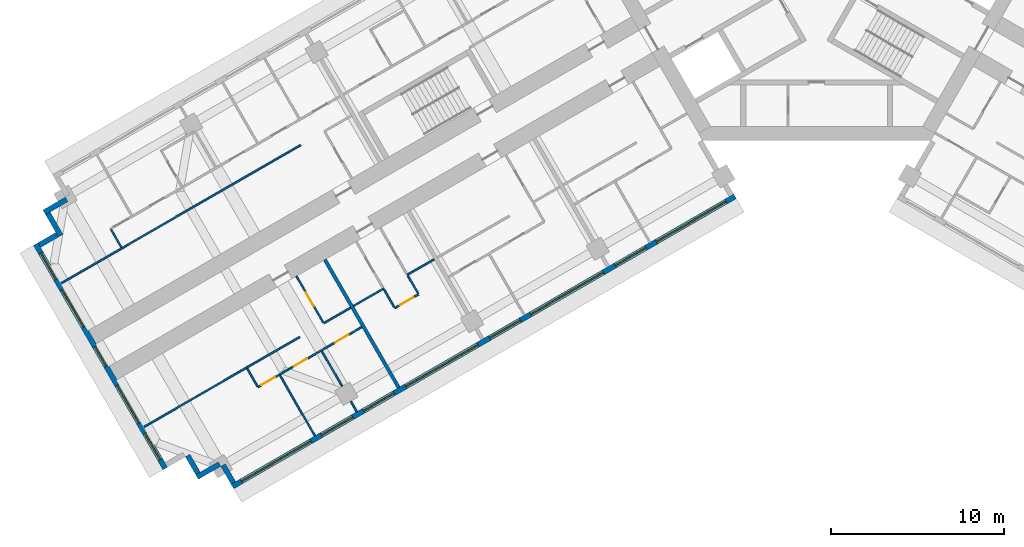
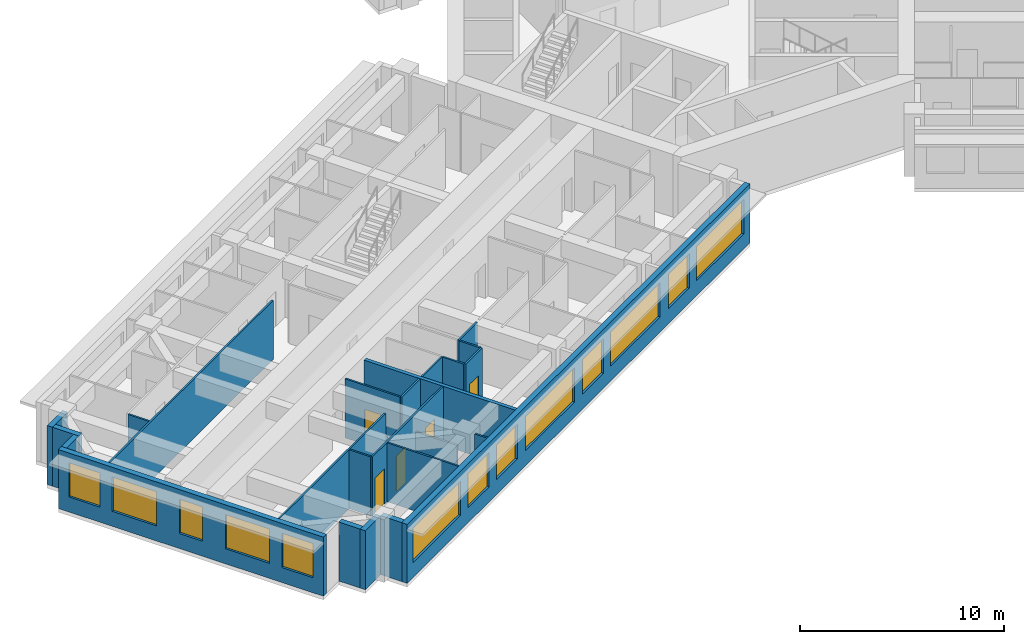
# One storey, part 3 of 14: 24 walls, 13 windows, 5 doors, 18 openings.
"""IFC4 building model written with IfcOpenShell, lengths in metres."""

from ifc_helpers import new_model, si_unit, direction, frame, frame_2d, origin, place, context, subcontext, project, spatial, rectangle, extrude, material, layer, layer_set, type_object, element, fill, save


model = new_model("IFC4")

# Units and contexts
model_context = context("Model", 3, precision=1e-05, world=origin(), true_north=direction((0.0, 1.0)))
body_context = subcontext(model_context, "Body", "Model", "MODEL_VIEW")
ifc_project = project(units=[si_unit("LENGTHUNIT", "METRE"), si_unit("AREAUNIT", "SQUARE_METRE"), si_unit("VOLUMEUNIT", "CUBIC_METRE"), si_unit("PLANEANGLEUNIT", "RADIAN"), si_unit("MASSUNIT", "GRAM", prefix="KILO")], contexts=[model_context])

# Site, building, storey
site_placement = place(None, origin())
site = spatial("IfcSite", under=ifc_project, at=site_placement, CompositionType="ELEMENT")
building_placement = place(site_placement, origin())
building = spatial("IfcBuilding", under=site, at=building_placement, Name="Impinga Residences", CompositionType="ELEMENT")
storey_placement = place(building_placement, frame((0.0, 0.0, 128.5)))
storey = spatial("IfcBuildingStorey", under=building, at=storey_placement, Name="L31", CompositionType="ELEMENT", Elevation=128.5)

# Walls
ifc_material_1 = material(Name="Terracotta rainscreen on blockwork", Category="masonry")
ifc_layer_1 = layer(ifc_material_1, 0.300048828125)
ifc_layer_set_1 = layer_set([ifc_layer_1], Name="EW1 external wall, terracotta rainscreen on blockwork 300")
wall_type_1 = type_object("IfcWallType", Name="EW1 external wall, terracotta rainscreen on blockwork 300", PredefinedType="SOLIDWALL", material=ifc_layer_set_1)
wall_1_placement = place(storey_placement, frame((-33.7685546875, -31.274169921875, 0.0), z_axis=(0.0, 0.0, 1.0), x_axis=(-0.499940577336, 0.866059708757, 0.0)))
element("IfcWall", 1, at=wall_1_placement, inside=storey, type_object=wall_type_1, Name="External wall EW1 L31", PredefinedType="SOLIDWALL", context=body_context, shape_type="SweptSolid", body=[
    extrude(rectangle(XDim=1.195068359375, YDim=0.300048828125, at=frame_2d((0.59765625, 0.0))), origin(), (0.0, 0.0, 1.0), 3.530029296875),
])
wall_2_placement = place(storey_placement, frame((-34.573486328125, -30.18017578125, 0.0), z_axis=(0.0, 0.0, 1.0), x_axis=(-0.866031096941, -0.499990139034, 0.0)))
element("IfcWall", 2, at=wall_2_placement, inside=storey, type_object=wall_type_1, Name="External wall EW1 L31", PredefinedType="SOLIDWALL", context=body_context, shape_type="SweptSolid", body=[
    extrude(rectangle(XDim=1.5, YDim=0.300048828125, at=frame_2d((0.75, 0.0))), origin(), (0.0, 0.0, 1.0), 3.530029296875),
])
wall_3_placement = place(storey_placement, frame((-35.817626953125, -30.72509765625, 0.0), z_axis=(0.0, 0.0, 1.0), x_axis=(-0.499969057507, 0.866043267704, 0.0)))
element("IfcWall", 3, at=wall_3_placement, inside=storey, type_object=wall_type_1, Name="External wall EW1 L31", PredefinedType="SOLIDWALL", context=body_context, shape_type="SweptSolid", body=[
    extrude(rectangle(XDim=1.19970703125, YDim=0.300048828125, at=frame_2d((0.599853515625, 0.0))), origin(), (0.0, 0.0, 1.0), 3.530029296875),
])

# Wall, openings, windows
wall_4_placement = place(storey_placement, frame((-37.716552734375, -30.43603515625, 0.0), z_axis=(0.0, 0.0, 1.0), x_axis=(-0.499997186618, 0.866027028085, 0.0)))
wall_4 = element("IfcWall", 4, at=wall_4_placement, inside=storey, type_object=wall_type_1, Name="External wall EW1 L31", PredefinedType="SOLIDWALL", context=body_context, shape_type="SweptSolid", body=[
    extrude(rectangle(XDim=15.0, YDim=0.300048828125, at=frame_2d((7.5, 0.0))), origin(), (0.0, 0.0, 1.0), 3.530029296875),
])
opening_1_placement = place(wall_4_placement, frame((0.60009765625, 0.0, 0.89990234375)))
opening_1 = element("IfcOpeningElement", 5, at=opening_1_placement, cuts=wall_4, Name="Opening W1", PredefinedType="OPENING", context=body_context, shape_type="SweptSolid", body=[
    extrude(rectangle(XDim=1.75, YDim=2.050048828125, at=frame_2d((0.875, 1.02490234375))), frame((0.0, 0.159912109375, 0.0), z_axis=(0.0, -1.0, 0.0), x_axis=(1.0, 0.0, 0.0)), (0.0, 0.0, 1.0), 0.320068359375),
])
opening_2_placement = place(wall_4_placement, frame((3.050048828125, 0.0, 0.89990234375)))
opening_2 = element("IfcOpeningElement", 6, at=opening_2_placement, cuts=wall_4, Name="Opening W2", PredefinedType="OPENING", context=body_context, shape_type="SweptSolid", body=[
    extrude(rectangle(XDim=2.5, YDim=2.050048828125, at=frame_2d((1.25, 1.02490234375))), frame((0.0, 0.159912109375, 0.0), z_axis=(0.0, -1.0, 0.0), x_axis=(1.0, 0.0, 0.0)), (0.0, 0.0, 1.0), 0.320068359375),
])
opening_3_placement = place(wall_4_placement, frame((6.85009765625, 0.0, 0.89990234375)))
opening_3 = element("IfcOpeningElement", 7, at=opening_3_placement, cuts=wall_4, Name="Opening WE1", PredefinedType="OPENING", context=body_context, shape_type="SweptSolid", body=[
    extrude(rectangle(XDim=1.300048828125, YDim=2.050048828125, at=frame_2d((0.64990234375, 1.02490234375))), frame((0.0, 0.159912109375, 0.0), z_axis=(0.0, -1.0, 0.0), x_axis=(1.0, 0.0, 0.0)), (0.0, 0.0, 1.0), 0.320068359375),
])
opening_4_placement = place(wall_4_placement, frame((9.449951171875, 0.0, 0.89990234375)))
opening_4 = element("IfcOpeningElement", 8, at=opening_4_placement, cuts=wall_4, Name="Opening W2", PredefinedType="OPENING", context=body_context, shape_type="SweptSolid", body=[
    extrude(rectangle(XDim=2.5, YDim=2.050048828125, at=frame_2d((1.25, 1.02490234375))), frame((0.0, 0.159912109375, 0.0), z_axis=(0.0, -1.0, 0.0), x_axis=(1.0, 0.0, 0.0)), (0.0, 0.0, 1.0), 0.320068359375),
])
opening_5_placement = place(wall_4_placement, frame((12.64990234375, 0.0, 0.89990234375)))
opening_5 = element("IfcOpeningElement", 9, at=opening_5_placement, cuts=wall_4, Name="Opening W1", PredefinedType="OPENING", context=body_context, shape_type="SweptSolid", body=[
    extrude(rectangle(XDim=1.75, YDim=2.050048828125, at=frame_2d((0.875, 1.02490234375))), frame((0.0, 0.159912109375, 0.0), z_axis=(0.0, -1.0, 0.0), x_axis=(1.0, 0.0, 0.0)), (0.0, 0.0, 1.0), 0.320068359375),
])
ifc_material_2 = material(Name="Aluminium window, clear double glazing", Category="aluminium")
window_type_1 = type_object("IfcWindowType", Name="W1 ribbon window 1750x2050", PartitioningType="SINGLE_PANEL", PredefinedType="WINDOW", material=ifc_material_2)
window_1_placement = place(opening_1_placement, origin())
window_1 = element("IfcWindow", 10, at=window_1_placement, inside=storey, type_object=window_type_1, Name="Window L31", OverallHeight=2.050048828125, OverallWidth=1.75, PartitioningType="SINGLE_PANEL", PredefinedType="WINDOW", context=body_context, shape_type="SweptSolid", body=[
    extrude(rectangle(XDim=1.75, YDim=2.050048828125, at=frame_2d((0.875, 1.02490234375))), frame((0.0, 0.030029296875, 0.0), z_axis=(0.0, -1.0, 0.0), x_axis=(1.0, 0.0, 0.0)), (0.0, 0.0, 1.0), 0.06005859375),
])
fill(opening_1, window_1)
window_2_placement = place(opening_5_placement, origin())
window_2 = element("IfcWindow", 11, at=window_2_placement, inside=storey, type_object=window_type_1, Name="Window L31", OverallHeight=2.050048828125, OverallWidth=1.75, PartitioningType="SINGLE_PANEL", PredefinedType="WINDOW", context=body_context, shape_type="SweptSolid", body=[
    extrude(rectangle(XDim=1.75, YDim=2.050048828125, at=frame_2d((0.875, 1.02490234375))), frame((0.0, 0.030029296875, 0.0), z_axis=(0.0, -1.0, 0.0), x_axis=(1.0, 0.0, 0.0)), (0.0, 0.0, 1.0), 0.06005859375),
])
fill(opening_5, window_2)
window_type_2 = type_object("IfcWindowType", Name="W2 ribbon window 2500x2050", PartitioningType="SINGLE_PANEL", PredefinedType="WINDOW", material=ifc_material_2)
window_3_placement = place(opening_2_placement, origin())
window_3 = element("IfcWindow", 12, at=window_3_placement, inside=storey, type_object=window_type_2, Name="Window L31", OverallHeight=2.050048828125, OverallWidth=2.5, PartitioningType="SINGLE_PANEL", PredefinedType="WINDOW", context=body_context, shape_type="SweptSolid", body=[
    extrude(rectangle(XDim=2.5, YDim=2.050048828125, at=frame_2d((1.25, 1.02490234375))), frame((0.0, 0.030029296875, 0.0), z_axis=(0.0, -1.0, 0.0), x_axis=(1.0, 0.0, 0.0)), (0.0, 0.0, 1.0), 0.06005859375),
])
fill(opening_2, window_3)
window_4_placement = place(opening_4_placement, origin())
window_4 = element("IfcWindow", 13, at=window_4_placement, inside=storey, type_object=window_type_2, Name="Window L31", OverallHeight=2.050048828125, OverallWidth=2.5, PartitioningType="SINGLE_PANEL", PredefinedType="WINDOW", context=body_context, shape_type="SweptSolid", body=[
    extrude(rectangle(XDim=2.5, YDim=2.050048828125, at=frame_2d((1.25, 1.02490234375))), frame((0.0, 0.030029296875, 0.0), z_axis=(0.0, -1.0, 0.0), x_axis=(1.0, 0.0, 0.0)), (0.0, 0.0, 1.0), 0.06005859375),
])
fill(opening_4, window_4)
window_type_3 = type_object("IfcWindowType", Name="WE1 corridor window 1300x2050", PartitioningType="SINGLE_PANEL", PredefinedType="WINDOW", material=ifc_material_2)
window_5_placement = place(opening_3_placement, origin())
window_5 = element("IfcWindow", 14, at=window_5_placement, inside=storey, type_object=window_type_3, Name="Window L31", OverallHeight=2.050048828125, OverallWidth=1.300048828125, PartitioningType="SINGLE_PANEL", PredefinedType="WINDOW", context=body_context, shape_type="SweptSolid", body=[
    extrude(rectangle(XDim=1.300048828125, YDim=2.050048828125, at=frame_2d((0.64990234375, 1.02490234375))), frame((0.0, 0.030029296875, 0.0), z_axis=(0.0, -1.0, 0.0), x_axis=(1.0, 0.0, 0.0)), (0.0, 0.0, 1.0), 0.06005859375),
])
fill(opening_3, window_5)

# Walls
wall_5_placement = place(storey_placement, frame((-45.01171875, -17.50048828125, 0.0), z_axis=(0.0, 0.0, 1.0), x_axis=(0.866059708757, 0.499940577336, 0.0)))
element("IfcWall", 15, at=wall_5_placement, inside=storey, type_object=wall_type_1, Name="External wall EW1 L31", PredefinedType="SOLIDWALL", context=body_context, shape_type="SweptSolid", body=[
    extrude(rectangle(XDim=1.195068359375, YDim=0.300048828125, at=frame_2d((0.59765625, 0.0))), origin(), (0.0, 0.0, 1.0), 3.530029296875),
])
for number, where, z_axis, x_axis, name in (
    (16, (-43.767578125, -16.955322265625, 0.0), (0.0, 0.0, 1.0), (-0.499990139034, 0.866031096941, 0.0), "External wall EW1 L31"),
    (17, (-44.722412109375, -15.6015625, 0.0), (0.0, 0.0, 1.0), (0.866031096941, 0.499990139034, 0.0), "External wall EW1 L31"),
):
    element("IfcWall", number, at=place(storey_placement, frame(where, z_axis=z_axis, x_axis=x_axis)), inside=storey, type_object=wall_type_1, Name=name, PredefinedType="SOLIDWALL", context=body_context, shape_type="SweptSolid", body=[
        extrude(rectangle(XDim=1.5, YDim=0.300048828125, at=frame_2d((0.75, 0.0))), origin(), (0.0, 0.0, 1.0), 3.530029296875),
    ])

# Wall, openings, windows
wall_6_placement = place(storey_placement, frame((-4.72509765625, -14.67919921875, 0.0), z_axis=(0.0, 0.0, 1.0), x_axis=(-0.866024291668, -0.500001926238, 0.0)))
wall_6 = element("IfcWall", 18, at=wall_6_placement, inside=storey, type_object=wall_type_1, Name="External wall EW1 L31", PredefinedType="SOLIDWALL", context=body_context, shape_type="SweptSolid", body=[
    extrude(rectangle(XDim=33.599853515625, YDim=0.300048828125, at=frame_2d((16.7998046875, 0.0))), origin(), (0.0, 0.0, 1.0), 3.530029296875),
])
opening_6_placement = place(wall_6_placement, frame((0.60009765625, 0.0, 0.89990234375)))
opening_6 = element("IfcOpeningElement", 19, at=opening_6_placement, cuts=wall_6, Name="Opening W10", PredefinedType="OPENING", context=body_context, shape_type="SweptSolid", body=[
    extrude(rectangle(XDim=4.64990234375, YDim=2.050048828125, at=frame_2d((2.324951171875, 1.02490234375))), frame((0.0, 0.159912109375, 0.0), z_axis=(0.0, -1.0, 0.0), x_axis=(1.0, 0.0, 0.0)), (0.0, 0.0, 1.0), 0.320068359375),
])
opening_7_placement = place(wall_6_placement, frame((5.949951171875, 0.0, 0.89990234375)))
opening_7 = element("IfcOpeningElement", 20, at=opening_7_placement, cuts=wall_6, Name="Opening W14", PredefinedType="OPENING", context=body_context, shape_type="SweptSolid", body=[
    extrude(rectangle(XDim=2.050048828125, YDim=2.050048828125, at=frame_2d((1.02490234375, 1.02490234375))), frame((0.0, 0.159912109375, 0.0), z_axis=(0.0, -1.0, 0.0), x_axis=(1.0, 0.0, 0.0)), (0.0, 0.0, 1.0), 0.320068359375),
])
opening_8_placement = place(wall_6_placement, frame((8.800048828125, 0.0, 0.89990234375)))
opening_8 = element("IfcOpeningElement", 21, at=opening_8_placement, cuts=wall_6, Name="Opening W6", PredefinedType="OPENING", context=body_context, shape_type="SweptSolid", body=[
    extrude(rectangle(XDim=4.85009765625, YDim=2.050048828125, at=frame_2d((2.425048828125, 1.02490234375))), frame((0.0, 0.159912109375, 0.0), z_axis=(0.0, -1.0, 0.0), x_axis=(1.0, 0.0, 0.0)), (0.0, 0.0, 1.0), 0.320068359375),
])
opening_9_placement = place(wall_6_placement, frame((14.35009765625, 0.0, 0.89990234375)))
opening_9 = element("IfcOpeningElement", 22, at=opening_9_placement, cuts=wall_6, Name="Opening W14", PredefinedType="OPENING", context=body_context, shape_type="SweptSolid", body=[
    extrude(rectangle(XDim=2.050048828125, YDim=2.050048828125, at=frame_2d((1.02490234375, 1.02490234375))), frame((0.0, 0.159912109375, 0.0), z_axis=(0.0, -1.0, 0.0), x_axis=(1.0, 0.0, 0.0)), (0.0, 0.0, 1.0), 0.320068359375),
])
opening_10_placement = place(wall_6_placement, frame((17.199951171875, 0.0, 0.89990234375)))
opening_10 = element("IfcOpeningElement", 23, at=opening_10_placement, cuts=wall_6, Name="Opening W8", PredefinedType="OPENING", context=body_context, shape_type="SweptSolid", body=[
    extrude(rectangle(XDim=4.800048828125, YDim=2.050048828125, at=frame_2d((2.39990234375, 1.02490234375))), frame((0.0, 0.159912109375, 0.0), z_axis=(0.0, -1.0, 0.0), x_axis=(1.0, 0.0, 0.0)), (0.0, 0.0, 1.0), 0.320068359375),
])
opening_11_placement = place(wall_6_placement, frame((22.800048828125, 0.0, 0.89990234375)))
opening_11 = element("IfcOpeningElement", 24, at=opening_11_placement, cuts=wall_6, Name="Opening W14", PredefinedType="OPENING", context=body_context, shape_type="SweptSolid", body=[
    extrude(rectangle(XDim=2.050048828125, YDim=2.050048828125, at=frame_2d((1.02490234375, 1.02490234375))), frame((0.0, 0.159912109375, 0.0), z_axis=(0.0, -1.0, 0.0), x_axis=(1.0, 0.0, 0.0)), (0.0, 0.0, 1.0), 0.320068359375),
])
opening_12_placement = place(wall_6_placement, frame((25.550048828125, 0.0, 0.89990234375)))
opening_12 = element("IfcOpeningElement", 25, at=opening_12_placement, cuts=wall_6, Name="Opening W9", PredefinedType="OPENING", context=body_context, shape_type="SweptSolid", body=[
    extrude(rectangle(XDim=2.10009765625, YDim=2.050048828125, at=frame_2d((1.050048828125, 1.02490234375))), frame((0.0, 0.159912109375, 0.0), z_axis=(0.0, -1.0, 0.0), x_axis=(1.0, 0.0, 0.0)), (0.0, 0.0, 1.0), 0.320068359375),
])
opening_13_placement = place(wall_6_placement, frame((28.35009765625, 0.0, 0.89990234375)))
opening_13 = element("IfcOpeningElement", 26, at=opening_13_placement, cuts=wall_6, Name="Opening W10", PredefinedType="OPENING", context=body_context, shape_type="SweptSolid", body=[
    extrude(rectangle(XDim=4.64990234375, YDim=2.050048828125, at=frame_2d((2.324951171875, 1.02490234375))), frame((0.0, 0.159912109375, 0.0), z_axis=(0.0, -1.0, 0.0), x_axis=(1.0, 0.0, 0.0)), (0.0, 0.0, 1.0), 0.320068359375),
])
window_type_4 = type_object("IfcWindowType", Name="W10 ribbon window 4650x2050", PartitioningType="SINGLE_PANEL", PredefinedType="WINDOW", material=ifc_material_2)
window_6_placement = place(opening_6_placement, origin())
window_6 = element("IfcWindow", 27, at=window_6_placement, inside=storey, type_object=window_type_4, Name="Window L31", OverallHeight=2.050048828125, OverallWidth=4.64990234375, PartitioningType="SINGLE_PANEL", PredefinedType="WINDOW", context=body_context, shape_type="SweptSolid", body=[
    extrude(rectangle(XDim=4.64990234375, YDim=2.050048828125, at=frame_2d((2.324951171875, 1.02490234375))), frame((0.0, 0.030029296875, 0.0), z_axis=(0.0, -1.0, 0.0), x_axis=(1.0, 0.0, 0.0)), (0.0, 0.0, 1.0), 0.06005859375),
])
fill(opening_6, window_6)
window_7_placement = place(opening_13_placement, origin())
window_7 = element("IfcWindow", 28, at=window_7_placement, inside=storey, type_object=window_type_4, Name="Window L31", OverallHeight=2.050048828125, OverallWidth=4.64990234375, PartitioningType="SINGLE_PANEL", PredefinedType="WINDOW", context=body_context, shape_type="SweptSolid", body=[
    extrude(rectangle(XDim=4.64990234375, YDim=2.050048828125, at=frame_2d((2.324951171875, 1.02490234375))), frame((0.0, 0.030029296875, 0.0), z_axis=(0.0, -1.0, 0.0), x_axis=(1.0, 0.0, 0.0)), (0.0, 0.0, 1.0), 0.06005859375),
])
fill(opening_13, window_7)
window_type_5 = type_object("IfcWindowType", Name="W14 ribbon window 2050x2050", PartitioningType="SINGLE_PANEL", PredefinedType="WINDOW", material=ifc_material_2)
window_8_placement = place(opening_7_placement, origin())
window_8 = element("IfcWindow", 29, at=window_8_placement, inside=storey, type_object=window_type_5, Name="Window L31", OverallHeight=2.050048828125, OverallWidth=2.050048828125, PartitioningType="SINGLE_PANEL", PredefinedType="WINDOW", context=body_context, shape_type="SweptSolid", body=[
    extrude(rectangle(XDim=2.050048828125, YDim=2.050048828125, at=frame_2d((1.02490234375, 1.02490234375))), frame((0.0, 0.030029296875, 0.0), z_axis=(0.0, -1.0, 0.0), x_axis=(1.0, 0.0, 0.0)), (0.0, 0.0, 1.0), 0.06005859375),
])
fill(opening_7, window_8)
window_9_placement = place(opening_9_placement, origin())
window_9 = element("IfcWindow", 30, at=window_9_placement, inside=storey, type_object=window_type_5, Name="Window L31", OverallHeight=2.050048828125, OverallWidth=2.050048828125, PartitioningType="SINGLE_PANEL", PredefinedType="WINDOW", context=body_context, shape_type="SweptSolid", body=[
    extrude(rectangle(XDim=2.050048828125, YDim=2.050048828125, at=frame_2d((1.02490234375, 1.02490234375))), frame((0.0, 0.030029296875, 0.0), z_axis=(0.0, -1.0, 0.0), x_axis=(1.0, 0.0, 0.0)), (0.0, 0.0, 1.0), 0.06005859375),
])
fill(opening_9, window_9)
window_10_placement = place(opening_11_placement, origin())
window_10 = element("IfcWindow", 31, at=window_10_placement, inside=storey, type_object=window_type_5, Name="Window L31", OverallHeight=2.050048828125, OverallWidth=2.050048828125, PartitioningType="SINGLE_PANEL", PredefinedType="WINDOW", context=body_context, shape_type="SweptSolid", body=[
    extrude(rectangle(XDim=2.050048828125, YDim=2.050048828125, at=frame_2d((1.02490234375, 1.02490234375))), frame((0.0, 0.030029296875, 0.0), z_axis=(0.0, -1.0, 0.0), x_axis=(1.0, 0.0, 0.0)), (0.0, 0.0, 1.0), 0.06005859375),
])
fill(opening_11, window_10)
window_type_6 = type_object("IfcWindowType", Name="W6 ribbon window 4850x2050", PartitioningType="SINGLE_PANEL", PredefinedType="WINDOW", material=ifc_material_2)
window_11_placement = place(opening_8_placement, origin())
window_11 = element("IfcWindow", 32, at=window_11_placement, inside=storey, type_object=window_type_6, Name="Window L31", OverallHeight=2.050048828125, OverallWidth=4.85009765625, PartitioningType="SINGLE_PANEL", PredefinedType="WINDOW", context=body_context, shape_type="SweptSolid", body=[
    extrude(rectangle(XDim=4.85009765625, YDim=2.050048828125, at=frame_2d((2.425048828125, 1.02490234375))), frame((0.0, 0.030029296875, 0.0), z_axis=(0.0, -1.0, 0.0), x_axis=(1.0, 0.0, 0.0)), (0.0, 0.0, 1.0), 0.06005859375),
])
fill(opening_8, window_11)
window_type_7 = type_object("IfcWindowType", Name="W8 ribbon window 4800x2050", PartitioningType="SINGLE_PANEL", PredefinedType="WINDOW", material=ifc_material_2)
window_12_placement = place(opening_10_placement, origin())
window_12 = element("IfcWindow", 33, at=window_12_placement, inside=storey, type_object=window_type_7, Name="Window L31", OverallHeight=2.050048828125, OverallWidth=4.800048828125, PartitioningType="SINGLE_PANEL", PredefinedType="WINDOW", context=body_context, shape_type="SweptSolid", body=[
    extrude(rectangle(XDim=4.800048828125, YDim=2.050048828125, at=frame_2d((2.39990234375, 1.02490234375))), frame((0.0, 0.030029296875, 0.0), z_axis=(0.0, -1.0, 0.0), x_axis=(1.0, 0.0, 0.0)), (0.0, 0.0, 1.0), 0.06005859375),
])
fill(opening_10, window_12)
window_type_8 = type_object("IfcWindowType", Name="W9 ribbon window 2100x2050", PartitioningType="SINGLE_PANEL", PredefinedType="WINDOW", material=ifc_material_2)
window_13_placement = place(opening_12_placement, origin())
window_13 = element("IfcWindow", 34, at=window_13_placement, inside=storey, type_object=window_type_8, Name="Window L31", OverallHeight=2.050048828125, OverallWidth=2.10009765625, PartitioningType="SINGLE_PANEL", PredefinedType="WINDOW", context=body_context, shape_type="SweptSolid", body=[
    extrude(rectangle(XDim=2.10009765625, YDim=2.050048828125, at=frame_2d((1.050048828125, 1.02490234375))), frame((0.0, 0.030029296875, 0.0), z_axis=(0.0, -1.0, 0.0), x_axis=(1.0, 0.0, 0.0)), (0.0, 0.0, 1.0), 0.06005859375),
])
fill(opening_12, window_13)

# Walls
ifc_material_3 = material(Name="Gypsum board on steel studs", Category="steel")
ifc_layer_2 = layer(ifc_material_3, 0.10009765625)
ifc_layer_set_2 = layer_set([ifc_layer_2], Name="Gypsum board on steel studs")
wall_type_2 = type_object("IfcWallType", Name="IP1 partition 100", PredefinedType="PARTITIONING", material=ifc_layer_set_2)
wall_7_placement = place(storey_placement, frame((-22.1357421875, -18.32275390625, 0.0), z_axis=(0.0, 0.0, 1.0), x_axis=(-0.866047807691, -0.499961193289, 0.0)))
element("IfcWall", 35, at=wall_7_placement, inside=storey, type_object=wall_type_2, Name="Partition L31-WA3:DIV0", PredefinedType="PARTITIONING", context=body_context, shape_type="SweptSolid", body=[
    extrude(rectangle(XDim=1.800048828125, YDim=0.10009765625, at=frame_2d((0.89990234375, 0.0))), origin(), (0.0, 0.0, 1.0), 3.530029296875),
])
wall_8_placement = place(storey_placement, frame((-25.080322265625, -20.022705078125, 0.0), z_axis=(0.0, 0.0, 1.0), x_axis=(-0.866010750942, -0.50002537861, 0.0)))
element("IfcWall", 36, at=wall_8_placement, inside=storey, type_object=wall_type_2, Name="Partition L31-WA3:DIV1", PredefinedType="PARTITIONING", context=body_context, shape_type="SweptSolid", body=[
    extrude(rectangle(XDim=2.0, YDim=0.10009765625, at=frame_2d((1.0, 0.0))), origin(), (0.0, 0.0, 1.0), 3.530029296875),
])

# Wall, opening, door
wall_9_placement = place(storey_placement, frame((-23.044677734375, -20.3486328125, 0.0), z_axis=(0.0, 0.0, 1.0), x_axis=(-0.866094119867, -0.499880961361, 0.0)))
wall_9 = element("IfcWall", 37, at=wall_9_placement, inside=storey, type_object=wall_type_2, Name="Partition L31-WA3:STRIP", PredefinedType="PARTITIONING", context=body_context, shape_type="SweptSolid", body=[
    extrude(rectangle(XDim=1.60009765625, YDim=0.10009765625, at=frame_2d((0.800048828125, 0.0))), origin(), (0.0, 0.0, 1.0), 3.530029296875),
])
opening_14_placement = place(wall_9_placement, frame((0.35009765625, 0.0, 0.0)))
opening_14 = element("IfcOpeningElement", 38, at=opening_14_placement, cuts=wall_9, Name="Opening D2", PredefinedType="OPENING", context=body_context, shape_type="SweptSolid", body=[
    extrude(rectangle(XDim=0.89990234375, YDim=2.10009765625, at=frame_2d((0.449951171875, 1.050048828125))), frame((0.0, 0.06005859375, 0.0), z_axis=(0.0, -1.0, 0.0), x_axis=(1.0, 0.0, 0.0)), (0.0, 0.0, 1.0), 0.1201171875),
])
ifc_material_4 = material(Name="Timber door set", Category="wood")
door_type = type_object("IfcDoorType", Name="D2 internal door 900x2100", OperationType="SINGLE_SWING_LEFT", PredefinedType="DOOR", material=ifc_material_4)
door_1_placement = place(opening_14_placement, origin())
door_1 = element("IfcDoor", 39, at=door_1_placement, inside=storey, type_object=door_type, Name="Apartment L31-WA3 room door", OperationType="SINGLE_SWING_LEFT", OverallHeight=2.10009765625, OverallWidth=0.89990234375, PredefinedType="DOOR", context=body_context, shape_type="SweptSolid", body=[
    extrude(rectangle(XDim=0.89990234375, YDim=2.10009765625, at=frame_2d((0.449951171875, 1.050048828125))), frame((0.0, 0.02490234375, 0.0), z_axis=(0.0, -1.0, 0.0), x_axis=(1.0, 0.0, 0.0)), (0.0, 0.0, 1.0), 0.050048828125),
])
fill(opening_14, door_1)

# Walls
for number, where, z_axis, x_axis, name in (
    (40, (-23.669677734375, -19.265869140625, 0.0), (0.0, 0.0, 1.0), (0.500033551112, -0.866006032174, 0.0), "Partition L31-WA3:SE0"),
    (41, (-25.055419921875, -20.06591796875, 0.0), (0.0, 0.0, 1.0), (0.500033551112, -0.866006032174, 0.0), "Partition L31-WA3:SE1"),
):
    element("IfcWall", number, at=place(storey_placement, frame(where, z_axis=z_axis, x_axis=x_axis)), inside=storey, type_object=wall_type_2, Name=name, PredefinedType="PARTITIONING", context=body_context, shape_type="SweptSolid", body=[
        extrude(rectangle(XDim=1.2001953125, YDim=0.10009765625, at=frame_2d((0.60009765625, 0.0))), origin(), (0.0, 0.0, 1.0), 3.530029296875),
    ])
wall_10_placement = place(storey_placement, frame((-26.985595703125, -21.122802734375, 0.0), z_axis=(0.0, 0.0, 1.0), x_axis=(-0.866047807691, -0.499961193289, 0.0)))
element("IfcWall", 42, at=wall_10_placement, inside=storey, type_object=wall_type_2, Name="Partition L31-WA4:DIV0", PredefinedType="PARTITIONING", context=body_context, shape_type="SweptSolid", body=[
    extrude(rectangle(XDim=1.800048828125, YDim=0.10009765625, at=frame_2d((0.89990234375, 0.0))), origin(), (0.0, 0.0, 1.0), 3.530029296875),
])
wall_11_placement = place(storey_placement, frame((-29.93017578125, -22.82275390625, 0.0), z_axis=(0.0, 0.0, 1.0), x_axis=(-0.866025696342, -0.499999493275, 0.0)))
element("IfcWall", 43, at=wall_11_placement, inside=storey, type_object=wall_type_2, Name="Partition L31-WA4:DIV1", PredefinedType="PARTITIONING", context=body_context, shape_type="SweptSolid", body=[
    extrude(rectangle(XDim=10.39990234375, YDim=0.10009765625, at=frame_2d((5.199951171875, 0.0))), origin(), (0.0, 0.0, 1.0), 3.530029296875),
])

# Wall, openings, doors
wall_12_placement = place(storey_placement, frame((-26.335693359375, -22.24853515625, 0.0), z_axis=(0.0, 0.0, 1.0), x_axis=(-0.866016523273, -0.500015381182, 0.0)))
wall_12 = element("IfcWall", 44, at=wall_12_placement, inside=storey, type_object=wall_type_2, Name="Partition L31-WA4:STRIP", PredefinedType="PARTITIONING", context=body_context, shape_type="SweptSolid", body=[
    extrude(rectangle(XDim=6.949951171875, YDim=0.10009765625, at=frame_2d((3.47509765625, 0.0))), origin(), (0.0, 0.0, 1.0), 3.530029296875),
])
opening_15_placement = place(wall_12_placement, frame((0.875, 0.0, 0.0)))
opening_15 = element("IfcOpeningElement", 45, at=opening_15_placement, cuts=wall_12, Name="Opening D2", PredefinedType="OPENING", context=body_context, shape_type="SweptSolid", body=[
    extrude(rectangle(XDim=0.89990234375, YDim=2.10009765625, at=frame_2d((0.449951171875, 1.050048828125))), frame((0.0, 0.06005859375, 0.0), z_axis=(0.0, -1.0, 0.0), x_axis=(1.0, 0.0, 0.0)), (0.0, 0.0, 1.0), 0.1201171875),
])
opening_16_placement = place(wall_12_placement, frame((3.64990234375, 0.0, 0.0)))
opening_16 = element("IfcOpeningElement", 46, at=opening_16_placement, cuts=wall_12, Name="Opening D2", PredefinedType="OPENING", context=body_context, shape_type="SweptSolid", body=[
    extrude(rectangle(XDim=0.89990234375, YDim=2.10009765625, at=frame_2d((0.449951171875, 1.050048828125))), frame((0.0, 0.06005859375, 0.0), z_axis=(0.0, -1.0, 0.0), x_axis=(1.0, 0.0, 0.0)), (0.0, 0.0, 1.0), 0.1201171875),
])
opening_17_placement = place(wall_12_placement, frame((5.800048828125, 0.0, 0.0)))
opening_17 = element("IfcOpeningElement", 47, at=opening_17_placement, cuts=wall_12, Name="Opening D2", PredefinedType="OPENING", context=body_context, shape_type="SweptSolid", body=[
    extrude(rectangle(XDim=0.89990234375, YDim=2.10009765625, at=frame_2d((0.449951171875, 1.050048828125))), frame((0.0, 0.06005859375, 0.0), z_axis=(0.0, -1.0, 0.0), x_axis=(1.0, 0.0, 0.0)), (0.0, 0.0, 1.0), 0.1201171875),
])
door_2_placement = place(opening_15_placement, origin())
door_2 = element("IfcDoor", 48, at=door_2_placement, inside=storey, type_object=door_type, Name="Apartment L31-WA4 room door", OperationType="SINGLE_SWING_LEFT", OverallHeight=2.10009765625, OverallWidth=0.89990234375, PredefinedType="DOOR", context=body_context, shape_type="SweptSolid", body=[
    extrude(rectangle(XDim=0.89990234375, YDim=2.10009765625, at=frame_2d((0.449951171875, 1.050048828125))), frame((0.0, 0.02490234375, 0.0), z_axis=(0.0, -1.0, 0.0), x_axis=(1.0, 0.0, 0.0)), (0.0, 0.0, 1.0), 0.050048828125),
])
fill(opening_15, door_2)
door_3_placement = place(opening_16_placement, origin())
door_3 = element("IfcDoor", 49, at=door_3_placement, inside=storey, type_object=door_type, Name="Apartment L31-WA4 room door", OperationType="SINGLE_SWING_RIGHT", OverallHeight=2.10009765625, OverallWidth=0.89990234375, PredefinedType="DOOR", context=body_context, shape_type="SweptSolid", body=[
    extrude(rectangle(XDim=0.89990234375, YDim=2.10009765625, at=frame_2d((0.449951171875, 1.050048828125))), frame((0.0, 0.02490234375, 0.0), z_axis=(0.0, -1.0, 0.0), x_axis=(1.0, 0.0, 0.0)), (0.0, 0.0, 1.0), 0.050048828125),
])
fill(opening_16, door_3)
door_4_placement = place(opening_17_placement, origin())
door_4 = element("IfcDoor", 50, at=door_4_placement, inside=storey, type_object=door_type, Name="Apartment L31-WA4 room door", OperationType="SINGLE_SWING_RIGHT", OverallHeight=2.10009765625, OverallWidth=0.89990234375, PredefinedType="DOOR", context=body_context, shape_type="SweptSolid", body=[
    extrude(rectangle(XDim=0.89990234375, YDim=2.10009765625, at=frame_2d((0.449951171875, 1.050048828125))), frame((0.0, 0.02490234375, 0.0), z_axis=(0.0, -1.0, 0.0), x_axis=(1.0, 0.0, 0.0)), (0.0, 0.0, 1.0), 0.050048828125),
])
fill(opening_17, door_4)

# Wall
wall_13_placement = place(storey_placement, frame((-32.9794921875, -24.640869140625, 0.0), z_axis=(0.0, 0.0, 1.0), x_axis=(0.500033551112, -0.866006032174, 0.0)))
element("IfcWall", 51, at=wall_13_placement, inside=storey, type_object=wall_type_2, Name="Partition L31-WA4:SE1", PredefinedType="PARTITIONING", context=body_context, shape_type="SweptSolid", body=[
    extrude(rectangle(XDim=1.2001953125, YDim=0.10009765625, at=frame_2d((0.60009765625, 0.0))), origin(), (0.0, 0.0, 1.0), 3.530029296875),
])

# Wall, opening, door
wall_14_placement = place(storey_placement, frame((-30.119384765625, -19.294677734375, 0.0), z_axis=(0.0, 0.0, 1.0), x_axis=(0.49999285859, -0.86602952684, 0.0)))
wall_14 = element("IfcWall", 52, at=wall_14_placement, inside=storey, type_object=wall_type_2, Name="Partition L31-WA4:IB1", PredefinedType="PARTITIONING", context=body_context, shape_type="SweptSolid", body=[
    extrude(rectangle(XDim=3.10009765625, YDim=0.10009765625, at=frame_2d((1.550048828125, 0.0))), origin(), (0.0, 0.0, 1.0), 3.530029296875),
])
opening_18_placement = place(wall_14_placement, frame((1.10009765625, 0.0, 0.0)))
opening_18 = element("IfcOpeningElement", 53, at=opening_18_placement, cuts=wall_14, Name="Opening D2", PredefinedType="OPENING", context=body_context, shape_type="SweptSolid", body=[
    extrude(rectangle(XDim=0.89990234375, YDim=2.10009765625, at=frame_2d((0.449951171875, 1.050048828125))), frame((0.0, 0.06005859375, 0.0), z_axis=(0.0, -1.0, 0.0), x_axis=(1.0, 0.0, 0.0)), (0.0, 0.0, 1.0), 0.1201171875),
])
door_5_placement = place(opening_18_placement, origin())
door_5 = element("IfcDoor", 54, at=door_5_placement, inside=storey, type_object=door_type, Name="Apartment L31-WA4 bathroom door", OperationType="SINGLE_SWING_LEFT", OverallHeight=2.10009765625, OverallWidth=0.89990234375, PredefinedType="DOOR", context=body_context, shape_type="SweptSolid", body=[
    extrude(rectangle(XDim=0.89990234375, YDim=2.10009765625, at=frame_2d((0.449951171875, 1.050048828125))), frame((0.0, 0.02490234375, 0.0), z_axis=(0.0, -1.0, 0.0), x_axis=(1.0, 0.0, 0.0)), (0.0, 0.0, 1.0), 0.050048828125),
])
fill(opening_18, door_5)

# Walls
wall_15_placement = place(storey_placement, frame((-28.64892578125, -23.641845703125, 0.0), z_axis=(0.0, 0.0, 1.0), x_axis=(0.500016218704, -0.866016039709, 0.0)))
element("IfcWall", 55, at=wall_15_placement, inside=storey, type_object=wall_type_2, Name="Partition L31-WA4:OB1", PredefinedType="PARTITIONING", context=body_context, shape_type="SweptSolid", body=[
    extrude(rectangle(XDim=2.35009765625, YDim=0.10009765625, at=frame_2d((1.175048828125, 0.0))), origin(), (0.0, 0.0, 1.0), 2.47998046875),
])
wall_16_placement = place(storey_placement, frame((-26.973876953125, -26.54296875, 0.0), z_axis=(0.0, 0.0, 1.0), x_axis=(0.500114896893, -0.865959057869, 0.0)))
element("IfcWall", 56, at=wall_16_placement, inside=storey, type_object=wall_type_2, Name="Partition L31-WA4:OB1b", PredefinedType="PARTITIONING", context=body_context, shape_type="SweptSolid", body=[
    extrude(rectangle(XDim=0.699951171875, YDim=0.10009765625, at=frame_2d((0.35009765625, 0.0))), origin(), (0.0, 0.0, 1.0), 3.530029296875),
])
wall_17_placement = place(storey_placement, frame((-31.07373046875, -25.041748046875, 0.0), z_axis=(0.0, 0.0, 1.0), x_axis=(0.499964223975, -0.866046058097, 0.0)))
element("IfcWall", 57, at=wall_17_placement, inside=storey, type_object=wall_type_2, Name="Partition L31-WA4:OB2", PredefinedType="PARTITIONING", context=body_context, shape_type="SweptSolid", body=[
    extrude(rectangle(XDim=4.050048828125, YDim=0.10009765625, at=frame_2d((2.02490234375, 0.0))), origin(), (0.0, 0.0, 1.0), 3.530029296875),
])
wall_18_placement = place(storey_placement, frame((-29.88037109375, -11.708740234375, 0.0), z_axis=(0.0, 0.0, 1.0), x_axis=(-0.866026010844, -0.49999894854, 0.0)))
element("IfcWall", 58, at=wall_18_placement, inside=storey, type_object=wall_type_2, Name="Partition L31-WF2:DIV1", PredefinedType="PARTITIONING", context=body_context, shape_type="SweptSolid", body=[
    extrude(rectangle(XDim=16.0, YDim=0.10009765625, at=frame_2d((8.0, 0.0))), origin(), (0.0, 0.0, 1.0), 3.530029296875),
])
wall_19_placement = place(storey_placement, frame((-40.25439453125, -17.640625, 0.0), z_axis=(0.0, 0.0, 1.0), x_axis=(-0.499880961361, 0.866094119867, 0.0)))
element("IfcWall", 59, at=wall_19_placement, inside=storey, type_object=wall_type_2, Name="Partition L31-WF2:SE1", PredefinedType="PARTITIONING", context=body_context, shape_type="SweptSolid", body=[
    extrude(rectangle(XDim=1.199951171875, YDim=0.10009765625, at=frame_2d((0.60009765625, 0.0))), origin(), (0.0, 0.0, 1.0), 3.530029296875),
])
ifc_material_5 = material(Name="Concrete blockwork", Category="masonry")
ifc_layer_3 = layer(ifc_material_5, 0.199951171875)
ifc_layer_set_3 = layer_set([ifc_layer_3], Name="PW1 party wall between apartments 200")
wall_type_3 = type_object("IfcWallType", Name="PW1 party wall between apartments 200", PredefinedType="SOLIDWALL", material=ifc_layer_set_3)
wall_20_placement = place(storey_placement, frame((-28.473876953125, -18.3447265625, 0.0), z_axis=(0.0, 0.0, 1.0), x_axis=(0.499990227581, -0.86603104582, 0.0)))
element("IfcWall", 60, at=wall_20_placement, inside=storey, type_object=wall_type_3, Name="Party wall between apartments L31-WA3:PARTY", PredefinedType="SOLIDWALL", context=body_context, shape_type="SweptSolid", body=[
    extrude(rectangle(XDim=8.550048828125, YDim=0.199951171875, at=frame_2d((4.27490234375, 0.0))), origin(), (0.0, 0.0, 1.0), 3.530029296875),
])

save(model, "model.ifc")
